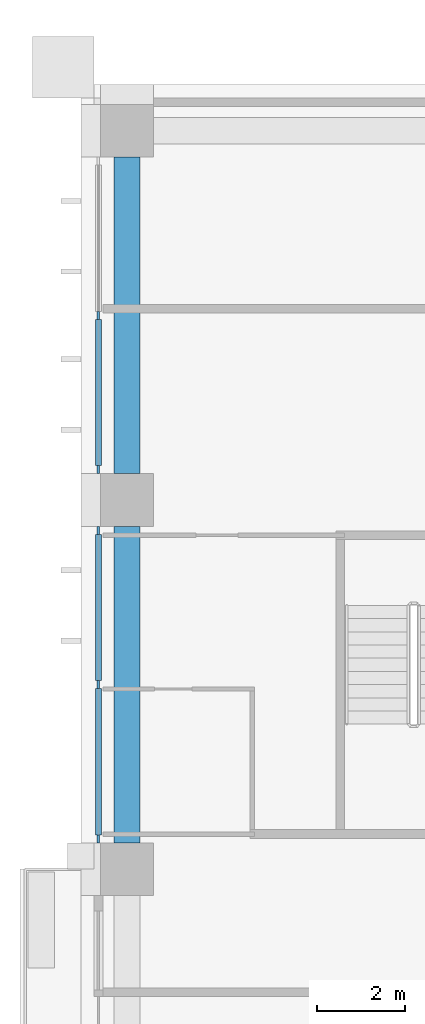
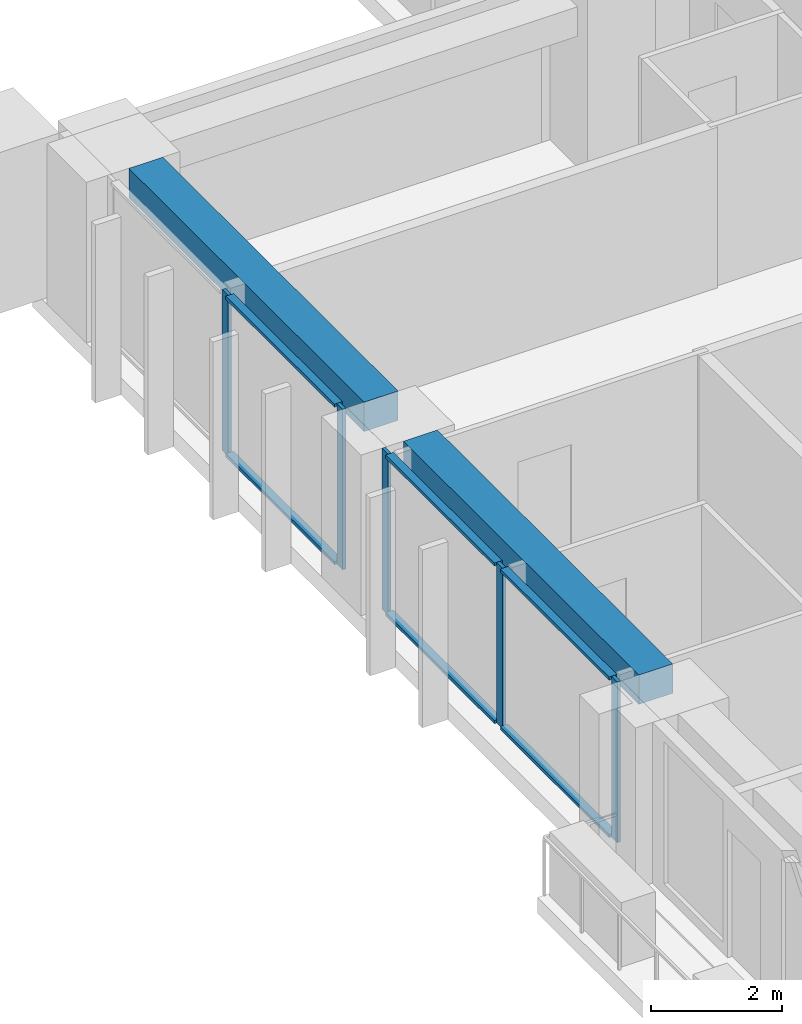
# One storey, part 4 of 21: 11 members, 2 beams, 2 elements without a shape of their own.
"""IFC4 building model written with IfcOpenShell, lengths in metres."""

from ifc_helpers import new_model, si_unit, direction, frame, origin, origin_2d, place, context, subcontext, project, spatial, rectangle, extrude, material, material_profile, profile_set, type_object, element, aggregate, save


model = new_model("IFC4")

# Units and contexts
model_context = context("Model", 3, precision=1e-05, world=origin(), true_north=direction((0.0, 1.0)))
body_context = subcontext(model_context, "Body", "Model", "MODEL_VIEW")
ifc_project = project(units=[si_unit("LENGTHUNIT", "METRE"), si_unit("AREAUNIT", "SQUARE_METRE"), si_unit("VOLUMEUNIT", "CUBIC_METRE"), si_unit("PLANEANGLEUNIT", "RADIAN"), si_unit("MASSUNIT", "GRAM", prefix="KILO")], contexts=[model_context])

# Site, building, storey
site_placement = place(None, origin())
site = spatial("IfcSite", under=ifc_project, at=site_placement, CompositionType="ELEMENT")
building_placement = place(site_placement, origin())
building = spatial("IfcBuilding", under=site, at=building_placement, Name="Vermilion Ogive Tower", CompositionType="ELEMENT")
storey_placement = place(building_placement, frame((0.0, 0.0, 118.35009765625)))
storey = spatial("IfcBuildingStorey", under=building, at=storey_placement, Name="L30", CompositionType="ELEMENT", Elevation=118.35009765625)

# Curtain wall, members
ifc_material_1 = material(Name="Low-iron laminated glazing in aluminium frame", Category="aluminium")
curtain_wall_type = type_object("IfcCurtainWallType", Name="Curtain wall CW7", PredefinedType="NOTDEFINED", material=ifc_material_1)
curtain_wall_1_placement = place(storey_placement, origin())
curtain_wall_1 = element("IfcCurtainWall", 1, at=curtain_wall_1_placement, inside=storey, type_object=curtain_wall_type, Name="Glazed skin W1", PredefinedType="NOTDEFINED")
ifc_material_2 = material(Name="Aluminium mullion", Category="aluminium")
ifc_material_profile_1 = material_profile(ifc_material_2, rectangle(XDim=0.06005859375, YDim=0.179931640625, at=origin_2d()), Name="AL 60x180")
ifc_profile_set_1 = profile_set([ifc_material_profile_1], Name="Aluminium mullion")
member_type_1 = type_object("IfcMemberType", Name="CW7 mullion 60x180", PredefinedType="MULLION", material=ifc_profile_set_1)
member_1_placement = place(storey_placement, frame((-25.85009765625, 8.39990234375, 0.0), z_axis=(0.0, 0.0, 1.0), x_axis=(1.0, 0.0, 0.0)))
member_1 = element("IfcMember", 2, at=member_1_placement, type_object=member_type_1, Name="CW7-W1 mullion 2", PredefinedType="MULLION", context=body_context, shape_type="SweptSolid", body=[
    extrude(rectangle(XDim=0.06005859375, YDim=0.179931640625, at=origin_2d()), origin(), (0.0, 0.0, 1.0), 3.0),
])
member_2_placement = place(storey_placement, frame((-25.85009765625, 4.889892578125, 0.0), z_axis=(0.0, 0.0, 1.0), x_axis=(1.0, 0.0, 0.0)))
member_2 = element("IfcMember", 3, at=member_2_placement, type_object=member_type_1, Name="CW7-W1 mullion 3", PredefinedType="MULLION", context=body_context, shape_type="SweptSolid", body=[
    extrude(rectangle(XDim=0.06005859375, YDim=0.179931640625, at=origin_2d()), origin(), (0.0, 0.0, 1.0), 3.0),
])

curtain_wall_2_placement = place(storey_placement, origin())
curtain_wall_2 = element("IfcCurtainWall", 4, at=curtain_wall_2_placement, inside=storey, type_object=curtain_wall_type, Name="Glazed skin W2", PredefinedType="NOTDEFINED")
member_3_placement = place(storey_placement, frame((-25.85009765625, 3.510009765625, 0.0), z_axis=(0.0, 0.0, 1.0), x_axis=(1.0, 0.0, 0.0)))
member_3 = element("IfcMember", 5, at=member_3_placement, type_object=member_type_1, Name="CW7-W2 mullion 1", PredefinedType="MULLION", context=body_context, shape_type="SweptSolid", body=[
    extrude(rectangle(XDim=0.06005859375, YDim=0.179931640625, at=origin_2d()), origin(), (0.0, 0.0, 1.0), 3.0),
])
member_4_placement = place(storey_placement, frame((-25.85009765625, 0.0, 0.0), z_axis=(0.0, 0.0, 1.0), x_axis=(1.0, 0.0, 0.0)))
member_4 = element("IfcMember", 6, at=member_4_placement, type_object=member_type_1, Name="CW7-W2 mullion 2", PredefinedType="MULLION", context=body_context, shape_type="SweptSolid", body=[
    extrude(rectangle(XDim=0.06005859375, YDim=0.179931640625, at=origin_2d()), origin(), (0.0, 0.0, 1.0), 3.0),
])
member_5_placement = place(storey_placement, frame((-25.85009765625, -3.510009765625, 0.0), z_axis=(0.0, 0.0, 1.0), x_axis=(1.0, 0.0, 0.0)))
member_5 = element("IfcMember", 7, at=member_5_placement, type_object=member_type_1, Name="CW7-W2 mullion 3", PredefinedType="MULLION", context=body_context, shape_type="SweptSolid", body=[
    extrude(rectangle(XDim=0.06005859375, YDim=0.179931640625, at=origin_2d()), origin(), (0.0, 0.0, 1.0), 3.0),
])

# Member
ifc_material_3 = material(Name="Aluminium transom", Category="aluminium")
ifc_material_profile_2 = material_profile(ifc_material_3, rectangle(XDim=0.139892578125, YDim=0.06005859375, at=origin_2d()), Name="AL 60x140")
ifc_profile_set_2 = profile_set([ifc_material_profile_2], Name="Aluminium transom")
member_type_2 = type_object("IfcMemberType", Name="CW7 transom 60x140", PredefinedType="USERDEFINED", material=ifc_profile_set_2)
member_6_placement = place(storey_placement, frame((-25.85009765625, 8.31005859375, 0.02978515625), z_axis=(0.0, -1.0, 0.0), x_axis=(1.0, 0.0, 0.0)))
member_6 = element("IfcMember", 8, at=member_6_placement, type_object=member_type_2, Name="CW7-W1 transom 2.1", ObjectType="TRANSOM", PredefinedType="USERDEFINED", context=body_context, shape_type="SweptSolid", body=[
    extrude(rectangle(XDim=0.139892578125, YDim=0.06005859375, at=origin_2d()), origin(), (0.0, 0.0, 1.0), 3.330078125),
])

member_7_placement = place(storey_placement, frame((-25.85009765625, 8.31005859375, 2.969970703125), z_axis=(0.0, -1.0, 0.0), x_axis=(1.0, 0.0, 0.0)))
member_7 = element("IfcMember", 9, at=member_7_placement, type_object=member_type_2, Name="CW7-W1 transom 2.2", ObjectType="TRANSOM", PredefinedType="USERDEFINED", context=body_context, shape_type="SweptSolid", body=[
    extrude(rectangle(XDim=0.139892578125, YDim=0.06005859375, at=origin_2d()), origin(), (0.0, 0.0, 1.0), 3.330078125),
])

aggregate(curtain_wall_1, [member_1, member_2, member_6, member_7])

member_8_placement = place(storey_placement, frame((-25.85009765625, 3.419921875, 0.02978515625), z_axis=(0.0, -1.0, 0.0), x_axis=(1.0, 0.0, 0.0)))
member_8 = element("IfcMember", 10, at=member_8_placement, type_object=member_type_2, Name="CW7-W2 transom 1.1", ObjectType="TRANSOM", PredefinedType="USERDEFINED", context=body_context, shape_type="SweptSolid", body=[
    extrude(rectangle(XDim=0.139892578125, YDim=0.06005859375, at=origin_2d()), origin(), (0.0, 0.0, 1.0), 3.329833984375),
])

member_9_placement = place(storey_placement, frame((-25.85009765625, 3.419921875, 2.969970703125), z_axis=(0.0, -1.0, 0.0), x_axis=(1.0, 0.0, 0.0)))
member_9 = element("IfcMember", 11, at=member_9_placement, type_object=member_type_2, Name="CW7-W2 transom 1.2", ObjectType="TRANSOM", PredefinedType="USERDEFINED", context=body_context, shape_type="SweptSolid", body=[
    extrude(rectangle(XDim=0.139892578125, YDim=0.06005859375, at=origin_2d()), origin(), (0.0, 0.0, 1.0), 3.329833984375),
])

member_10_placement = place(storey_placement, frame((-25.85009765625, -0.090087890625, 0.02978515625), z_axis=(0.0, -1.0, 0.0), x_axis=(1.0, 0.0, 0.0)))
member_10 = element("IfcMember", 12, at=member_10_placement, type_object=member_type_2, Name="CW7-W2 transom 2.1", ObjectType="TRANSOM", PredefinedType="USERDEFINED", context=body_context, shape_type="SweptSolid", body=[
    extrude(rectangle(XDim=0.139892578125, YDim=0.06005859375, at=origin_2d()), origin(), (0.0, 0.0, 1.0), 3.329833984375),
])

member_11_placement = place(storey_placement, frame((-25.85009765625, -0.090087890625, 2.969970703125), z_axis=(0.0, -1.0, 0.0), x_axis=(1.0, 0.0, 0.0)))
member_11 = element("IfcMember", 13, at=member_11_placement, type_object=member_type_2, Name="CW7-W2 transom 2.2", ObjectType="TRANSOM", PredefinedType="USERDEFINED", context=body_context, shape_type="SweptSolid", body=[
    extrude(rectangle(XDim=0.139892578125, YDim=0.06005859375, at=origin_2d()), origin(), (0.0, 0.0, 1.0), 3.329833984375),
])

aggregate(curtain_wall_2, [member_3, member_4, member_5, member_8, member_9, member_10, member_11])

# Beams
ifc_material_4 = material(Name="Concrete B45", Category="concrete")
ifc_material_profile_3 = material_profile(ifc_material_4, rectangle(XDim=0.60009765625, YDim=0.550048828125, at=origin_2d()), Name="600 x 550")
ifc_profile_set_3 = profile_set([ifc_material_profile_3], Name="Concrete B45")
beam_type = type_object("IfcBeamType", Name="Edge beam 600 x 550 B45", PredefinedType="BEAM", material=ifc_profile_set_3)
beam_1_placement = place(storey_placement, frame((-25.199951171875, 12.0, 2.724853515625), z_axis=(0.0, -1.0, 0.0), x_axis=(1.0, 0.0, 0.0)))
element("IfcBeam", 14, at=beam_1_placement, inside=storey, type_object=beam_type, Name="L30-EB-14", PredefinedType="BEAM", context=body_context, shape_type="SweptSolid", body=[
    extrude(rectangle(XDim=0.60009765625, YDim=0.550048828125, at=origin_2d()), origin(), (0.0, 0.0, 1.0), 7.199951171875),
])
beam_2_placement = place(storey_placement, frame((-25.199951171875, 3.60009765625, 2.724853515625), z_axis=(0.0, -1.0, 0.0), x_axis=(1.0, 0.0, 0.0)))
element("IfcBeam", 15, at=beam_2_placement, inside=storey, type_object=beam_type, Name="L30-EB-15", PredefinedType="BEAM", context=body_context, shape_type="SweptSolid", body=[
    extrude(rectangle(XDim=0.60009765625, YDim=0.550048828125, at=origin_2d()), origin(), (0.0, 0.0, 1.0), 7.2001953125),
])

save(model, "model.ifc")
